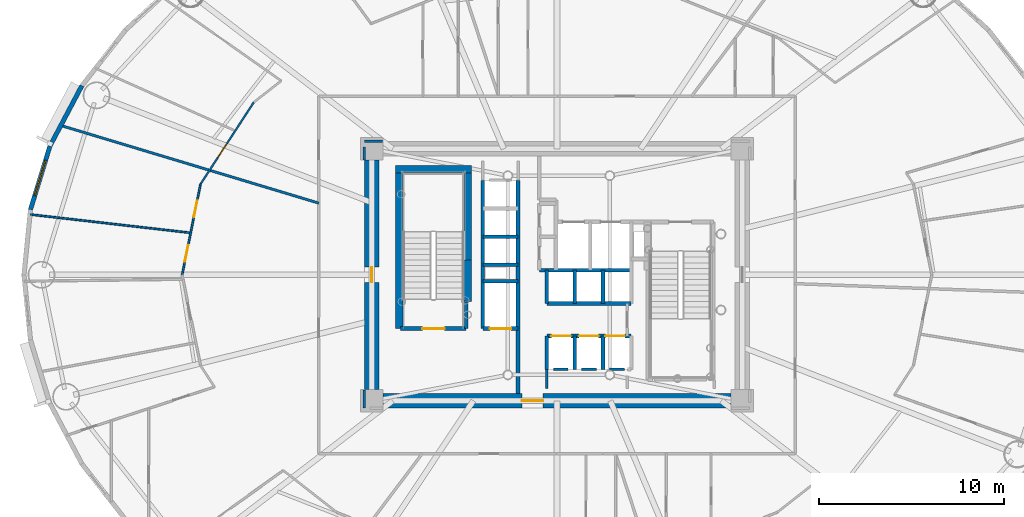
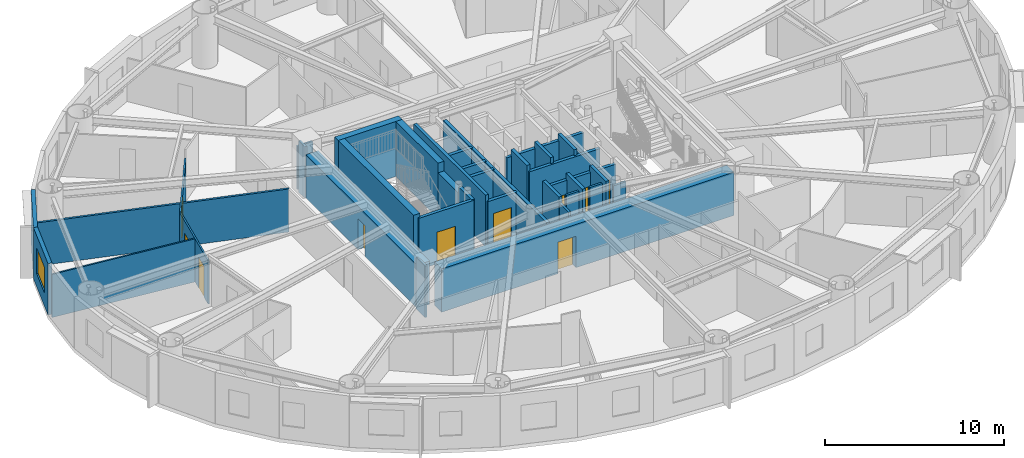
# One storey, part 7 of 16: 36 walls, 10 doors, 1 window, 11 openings.
"""IFC4 building model written with IfcOpenShell, lengths in metres."""

from ifc_helpers import new_model, si_unit, direction, frame, frame_2d, origin, origin_2d, place, context, subcontext, project, spatial, rectangle, extrude, source, transform, mapped, material, layer, layer_set, type_object, element, fill, save


model = new_model("IFC4")

# Units and contexts
model_context = context("Model", 3, precision=1e-05, world=origin(), true_north=direction((0.0, 1.0)))
body_context = subcontext(model_context, "Body", "Model", "MODEL_VIEW")
ifc_project = project(units=[si_unit("LENGTHUNIT", "METRE"), si_unit("AREAUNIT", "SQUARE_METRE"), si_unit("VOLUMEUNIT", "CUBIC_METRE"), si_unit("PLANEANGLEUNIT", "RADIAN"), si_unit("MASSUNIT", "GRAM", prefix="KILO")], contexts=[model_context])

# Site, building, storey
site_placement = place(None, origin())
site = spatial("IfcSite", under=ifc_project, at=site_placement, CompositionType="ELEMENT")
building_placement = place(site_placement, origin())
building = spatial("IfcBuilding", under=site, at=building_placement, Name="Linh Dai School and Residence Tower", CompositionType="ELEMENT")
storey_placement = place(building_placement, frame((0.0, 0.0, 108.449951171875)))
storey = spatial("IfcBuildingStorey", under=building, at=storey_placement, Name="L25", CompositionType="ELEMENT", Elevation=108.449951171875)

# Wall
ifc_material_1 = material(Name="Precast Concrete B45 (C35/45)", Category="concrete")
ifc_layer_1 = layer(ifc_material_1, 0.239990234375)
ifc_layer_set_1 = layer_set([ifc_layer_1], Name="Precast Concrete B45 (C35/45)")
wall_type_1 = type_object("IfcWallType", Name="EW-TC-240", PredefinedType="SOLIDWALL", material=ifc_layer_set_1)
wall_1_placement = place(storey_placement, frame((8.6298828125, 33.945068359375, 0.0), z_axis=(0.0, 0.0, 1.0), x_axis=(0.467614004126, 0.883932770716, 0.0)))
element("IfcWall", 1, at=wall_1_placement, inside=storey, type_object=wall_type_1, Name="L25 Terracotta Exterior Wall 18", PredefinedType="SOLIDWALL", context=body_context, shape_type="SweptSolid", body=[
    extrude(rectangle(XDim=3.688720703125, YDim=0.239990234375, at=frame_2d((1.84423828125, 0.0))), origin(), (0.0, 0.0, 1.0), 3.5),
])

# Wall, opening, window
wall_2_placement = place(storey_placement, frame((7.578369140625, 30.515380859375, 0.0), z_axis=(0.0, 0.0, 1.0), x_axis=(0.293124431344, 0.956074300329, 0.0)))
wall_2 = element("IfcWall", 2, at=wall_2_placement, inside=storey, type_object=wall_type_1, Name="L25 Terracotta Exterior Wall 19", PredefinedType="SOLIDWALL", context=body_context, shape_type="SweptSolid", body=[
    extrude(rectangle(XDim=3.587158203125, YDim=0.239990234375, at=frame_2d((1.79345703125, 0.0))), origin(), (0.0, 0.0, 1.0), 3.5),
])
opening_1_placement = place(wall_2_placement, frame((0.793701171875, 0.0, 0.89990234375)))
opening_1 = element("IfcOpeningElement", 3, at=opening_1_placement, cuts=wall_2, Name="Opening W1", PredefinedType="OPENING", context=body_context, shape_type="SweptSolid", body=[
    extrude(rectangle(XDim=2.0, YDim=1.75, at=origin_2d()), frame((1.0, 0.1298828125, 0.875), z_axis=(0.0, -1.0, 0.0), x_axis=(1.0, 0.0, 0.0)), (0.0, 0.0, 1.0), 0.260009765625),
])
ifc_material_2 = material(Name="Double Low-E Insulated Glazing", Category="glass")
window_type = type_object("IfcWindowType", Name="WN-RES-2000x1750", PartitioningType="DOUBLE_PANEL_VERTICAL", PredefinedType="WINDOW", material=ifc_material_2)
shared_shape_1 = source(origin(), body_context, "Body", "SweptSolid", [
    extrude(rectangle(XDim=2.0, YDim=1.75, at=origin_2d()), frame((1.0, 0.030029296875, 0.875), z_axis=(0.0, -1.0, 0.0), x_axis=(1.0, 0.0, 0.0)), (0.0, 0.0, 1.0), 0.06005859375),
])
window_placement = place(opening_1_placement, origin())
window = element("IfcWindow", 4, at=window_placement, inside=storey, type_object=window_type, Name="L25 Exterior Window 19.1", OverallHeight=1.75, OverallWidth=2.0, PartitioningType="DOUBLE_PANEL_VERTICAL", PredefinedType="WINDOW", context=body_context, shape_type="MappedRepresentation", body=[
    mapped(shared_shape_1, transform((0.0, 0.0, 0.0), x_axis=(1.0, 0.0, 0.0), y_axis=(0.0, 1.0, 0.0), z_axis=(0.0, 0.0, 1.0), scale=1.0)),
])
fill(opening_1, window)

# Walls
ifc_material_3 = material(Name="Autoclaved Aerated Concrete Blockwork", Category="masonry")
ifc_layer_2 = layer(ifc_material_3, 0.135009765625)
ifc_layer_set_2 = layer_set([ifc_layer_2], Name="Autoclaved Aerated Concrete Blockwork")
wall_type_2 = type_object("IfcWallType", Name="IW-CORR-135-EI90", PredefinedType="PARTITIONING", material=ifc_layer_set_2)
wall_3_placement = place(storey_placement, frame((9.21484375, 35.0615234375, 0.0), z_axis=(0.0, 0.0, 1.0), x_axis=(0.957569176287, -0.288203526393, 0.0)))
element("IfcWall", 5, at=wall_3_placement, inside=storey, type_object=wall_type_2, Name="L25 Interior Partition Wall 004", PredefinedType="PARTITIONING", context=body_context, shape_type="SweptSolid", body=[
    extrude(rectangle(XDim=14.552490234375, YDim=0.135009765625, at=frame_2d((7.2763671875, 0.0))), origin(), (0.0, 0.0, 1.0), 2.93505859375),
])
wall_4_placement = place(storey_placement, frame((36.60009765625, 21.89990234375, 0.0), z_axis=(0.0, 0.0, 1.0), x_axis=(-1.0, 0.0, 0.0)))
element("IfcWall", 6, at=wall_4_placement, inside=storey, type_object=wall_type_2, Name="L25 Interior Partition Wall 100", PredefinedType="PARTITIONING", context=body_context, shape_type="SweptSolid", body=[
    extrude(rectangle(XDim=0.7900390625, YDim=0.135009765625, at=frame_2d((0.39501953125, 0.0))), origin(), (0.0, 0.0, 1.0), 3.5),
])
wall_5_placement = place(storey_placement, frame((38.1201171875, 21.89990234375, 0.0), z_axis=(0.0, 0.0, 1.0), x_axis=(-1.0, 0.0, 0.0)))
element("IfcWall", 7, at=wall_5_placement, inside=storey, type_object=wall_type_2, Name="L25 Interior Partition Wall 101", PredefinedType="PARTITIONING", context=body_context, shape_type="SweptSolid", body=[
    extrude(rectangle(XDim=0.800048828125, YDim=0.135009765625, at=frame_2d((0.39990234375, 0.0))), origin(), (0.0, 0.0, 1.0), 3.5),
])
wall_6_placement = place(storey_placement, frame((39.639892578125, 21.89990234375, 0.0), z_axis=(0.0, 0.0, 1.0), x_axis=(-1.0, 0.0, 0.0)))
element("IfcWall", 8, at=wall_6_placement, inside=storey, type_object=wall_type_2, Name="L25 Interior Partition Wall 102", PredefinedType="PARTITIONING", context=body_context, shape_type="SweptSolid", body=[
    extrude(rectangle(XDim=0.7998046875, YDim=0.135009765625, at=frame_2d((0.39990234375, 0.0))), origin(), (0.0, 0.0, 1.0), 3.0849609375),
])
wall_7_placement = place(storey_placement, frame((35.449951171875, 21.889892578125, 0.0), z_axis=(0.0, 0.0, 1.0), x_axis=(0.0, -1.0, 0.0)))
element("IfcWall", 9, at=wall_7_placement, inside=storey, type_object=wall_type_2, Name="L25 Interior Partition Wall 107", PredefinedType="PARTITIONING", context=body_context, shape_type="SweptSolid", body=[
    extrude(rectangle(XDim=1.02978515625, YDim=0.135009765625, at=frame_2d((0.514892578125, 0.0))), origin(), (0.0, 0.0, 1.0), 3.0849609375),
])
wall_8_placement = place(storey_placement, frame((26.590087890625, 34.199951171875, 0.0), z_axis=(0.0, 0.0, 1.0), x_axis=(-1.0, 0.0, 0.0)))
element("IfcWall", 10, at=wall_8_placement, inside=storey, type_object=wall_type_2, Name="L25 Interior Partition Wall 112", PredefinedType="PARTITIONING", context=body_context, shape_type="SweptSolid", body=[
    extrude(rectangle(XDim=0.989990234375, YDim=0.135009765625, at=frame_2d((0.4951171875, 0.0))), origin(), (0.0, 0.0, 1.0), 2.93505859375),
])
wall_9_placement = place(storey_placement, frame((25.60009765625, 33.892578125, 0.0), z_axis=(0.0, 0.0, 1.0), x_axis=(0.0, -1.0, 0.0)))
element("IfcWall", 11, at=wall_9_placement, inside=storey, type_object=wall_type_2, Name="L25 Interior Partition Wall 113", PredefinedType="PARTITIONING", context=body_context, shape_type="SweptSolid", body=[
    extrude(rectangle(XDim=0.6826171875, YDim=0.135009765625, at=frame_2d((0.34130859375, 0.0))), origin(), (0.0, 0.0, 1.0), 3.5),
])
wall_10_placement = place(storey_placement, frame((25.60009765625, 20.7900390625, 0.0), z_axis=(0.0, 0.0, 1.0), x_axis=(0.0, -1.0, 0.0)))
element("IfcWall", 12, at=wall_10_placement, inside=storey, type_object=wall_type_2, Name="L25 Interior Partition Wall 114", PredefinedType="PARTITIONING", context=body_context, shape_type="SweptSolid", body=[
    extrude(rectangle(XDim=0.989990234375, YDim=0.135009765625, at=frame_2d((0.4951171875, 0.0))), origin(), (0.0, 0.0, 1.0), 3.5),
])

# Wall, opening, door
ifc_material_4 = material(Name="Concrete B45 (C35/45)", Category="concrete")
ifc_layer_3 = layer(ifc_material_4, 0.199951171875)
ifc_layer_set_3 = layer_set([ifc_layer_3], Name="Concrete B45 (C35/45)")
wall_type_3 = type_object("IfcWallType", Name="IW-SHAFT-200-EI120", PredefinedType="PARTITIONING", material=ifc_layer_set_3)
wall_11_placement = place(storey_placement, frame((27.56005859375, 24.10009765625, 0.0), z_axis=(0.0, 0.0, 1.0), x_axis=(1.0, 0.0, 0.0)))
wall_11 = element("IfcWall", 13, at=wall_11_placement, inside=storey, type_object=wall_type_3, Name="L25 Interior Partition Wall 025", PredefinedType="PARTITIONING", context=body_context, shape_type="SweptSolid", body=[
    extrude(rectangle(XDim=3.5400390625, YDim=0.199951171875, at=frame_2d((1.77001953125, 0.0))), origin(), (0.0, 0.0, 1.0), 3.5),
])
opening_2_placement = place(wall_11_placement, frame((1.169921875, 0.0, 0.0)))
opening_2 = element("IfcOpeningElement", 14, at=opening_2_placement, cuts=wall_11, Name="Opening D01", PredefinedType="OPENING", context=body_context, shape_type="SweptSolid", body=[
    extrude(rectangle(XDim=1.199951171875, YDim=2.14990234375, at=origin_2d()), frame((0.60009765625, 0.10986328125, 1.074951171875), z_axis=(0.0, -1.0, 0.0), x_axis=(1.0, 0.0, 0.0)), (0.0, 0.0, 1.0), 0.219970703125),
])
ifc_material_5 = material(Name="Fire-Rated Steel Door Leaf", Category="steel")
door_type_1 = type_object("IfcDoorType", Name="DR-STAIR-1200x2150-FD90S", OperationType="NOTDEFINED", PredefinedType="DOOR", material=ifc_material_5)
shared_shape_2 = source(origin(), body_context, "Body", "SweptSolid", [
    extrude(rectangle(XDim=1.199951171875, YDim=2.14990234375, at=origin_2d()), frame((0.60009765625, 0.02490234375, 1.074951171875), z_axis=(0.0, -1.0, 0.0), x_axis=(1.0, 0.0, 0.0)), (0.0, 0.0, 1.0), 0.050048828125),
])
door_1_placement = place(opening_2_placement, origin())
door_1 = element("IfcDoor", 15, at=door_1_placement, inside=storey, type_object=door_type_1, Name="L25 Core Smokeproof Exit Stair ST1 Door", OperationType="SINGLE_SWING_LEFT", OverallHeight=2.14990234375, OverallWidth=1.199951171875, PredefinedType="DOOR", context=body_context, shape_type="MappedRepresentation", body=[
    mapped(shared_shape_2, transform((0.0, 0.0, 0.0), x_axis=(1.0, 0.0, 0.0), y_axis=(0.0, 1.0, 0.0), z_axis=(0.0, 0.0, 1.0), scale=1.0)),
])
fill(opening_2, door_1)

# Walls
wall_12_placement = place(storey_placement, frame((31.10009765625, 24.10009765625, 0.0), z_axis=(0.0, 0.0, 1.0), x_axis=(0.0, 1.0, 0.0)))
element("IfcWall", 16, at=wall_12_placement, inside=storey, type_object=wall_type_3, Name="L25 Interior Partition Wall 032", PredefinedType="PARTITIONING", context=body_context, shape_type="SweptSolid", body=[
    extrude(rectangle(XDim=1.43994140625, YDim=0.199951171875, at=frame_2d((0.719970703125, 0.0))), origin(), (0.0, 0.0, 1.0), 3.5),
])
wall_13_placement = place(storey_placement, frame((32.0, 24.10009765625, 0.0), z_axis=(0.0, 0.0, 1.0), x_axis=(0.0, 1.0, 0.0)))
element("IfcWall", 17, at=wall_13_placement, inside=storey, type_object=wall_type_3, Name="L25 Interior Partition Wall 033", PredefinedType="PARTITIONING", context=body_context, shape_type="SweptSolid", body=[
    extrude(rectangle(XDim=8.0, YDim=0.199951171875, at=frame_2d((4.0, 0.0))), origin(), (0.0, 0.0, 1.0), 3.5),
])

# Wall, opening, door
wall_14_placement = place(storey_placement, frame((32.0, 24.10009765625, 0.0), z_axis=(0.0, 0.0, 1.0), x_axis=(1.0, 0.0, 0.0)))
wall_14 = element("IfcWall", 18, at=wall_14_placement, inside=storey, type_object=wall_type_3, Name="L25 Interior Partition Wall 034", PredefinedType="PARTITIONING", context=body_context, shape_type="SweptSolid", body=[
    extrude(rectangle(XDim=1.89990234375, YDim=0.199951171875, at=frame_2d((0.949951171875, 0.0))), origin(), (0.0, 0.0, 1.0), 3.0849609375),
])
opening_3_placement = place(wall_14_placement, frame((0.375, 0.0, 0.0)))
opening_3 = element("IfcOpeningElement", 19, at=opening_3_placement, cuts=wall_14, Name="Opening LD-FF2", PredefinedType="OPENING", context=body_context, shape_type="SweptSolid", body=[
    extrude(rectangle(XDim=1.14990234375, YDim=2.14990234375, at=origin_2d()), frame((0.574951171875, 0.10986328125, 1.074951171875), z_axis=(0.0, -1.0, 0.0), x_axis=(1.0, 0.0, 0.0)), (0.0, 0.0, 1.0), 0.219970703125),
])
ifc_material_6 = material(Name="Fire-Rated Stainless Steel Firefighting Lift Door", Category="steel")
door_type_2 = type_object("IfcDoorType", Name="DR-LD-FF-1150x2150-FD120", OperationType="DOUBLE_DOOR_SLIDING", PredefinedType="USERDEFINED", material=ifc_material_6)
shared_shape_3 = source(origin(), body_context, "Body", "SweptSolid", [
    extrude(rectangle(XDim=1.14990234375, YDim=2.14990234375, at=origin_2d()), frame((0.574951171875, 0.02490234375, 1.074951171875), z_axis=(0.0, -1.0, 0.0), x_axis=(1.0, 0.0, 0.0)), (0.0, 0.0, 1.0), 0.050048828125),
])
door_2_placement = place(opening_3_placement, origin())
door_2 = element("IfcDoor", 20, at=door_2_placement, inside=storey, type_object=door_type_2, Name="L25 Lift FF2 Sliding Landing Door", ObjectType="LANDING DOOR", OperationType="DOUBLE_DOOR_SLIDING", OverallHeight=2.14990234375, OverallWidth=1.14990234375, PredefinedType="USERDEFINED", context=body_context, shape_type="MappedRepresentation", body=[
    mapped(shared_shape_3, transform((0.0, 0.0, 0.0), x_axis=(1.0, 0.0, 0.0), y_axis=(0.0, 1.0, 0.0), z_axis=(0.0, 0.0, 1.0), scale=1.0)),
])
fill(opening_3, door_2)

# Walls
for number, where, z_axis, x_axis, name in (
    (21, (32.0, 26.64990234375, 0.0), (0.0, 0.0, 1.0), (1.0, 0.0, 0.0), "L25 Interior Partition Wall 035"),
    (22, (32.0, 27.550048828125, 0.0), (0.0, 0.0, 1.0), (1.0, 0.0, 0.0), "L25 Interior Partition Wall 036"),
    (23, (32.0, 29.06005859375, 0.0), (0.0, 0.0, 1.0), (1.0, 0.0, 0.0), "L25 Interior Partition Wall 037"),
):
    element("IfcWall", number, at=place(storey_placement, frame(where, z_axis=z_axis, x_axis=x_axis)), inside=storey, type_object=wall_type_3, Name=name, PredefinedType="PARTITIONING", context=body_context, shape_type="SweptSolid", body=[
        extrude(rectangle(XDim=1.89990234375, YDim=0.199951171875, at=frame_2d((0.949951171875, 0.0))), origin(), (0.0, 0.0, 1.0), 3.0849609375),
    ])
wall_15_placement = place(storey_placement, frame((33.89990234375, 20.60009765625, 0.0), z_axis=(0.0, 0.0, 1.0), x_axis=(0.0, 1.0, 0.0)))
element("IfcWall", 24, at=wall_15_placement, inside=storey, type_object=wall_type_3, Name="L25 Interior Partition Wall 040", PredefinedType="PARTITIONING", context=body_context, shape_type="SweptSolid", body=[
    extrude(rectangle(XDim=11.5, YDim=0.199951171875, at=frame_2d((5.75, 0.0))), origin(), (0.0, 0.0, 1.0), 3.0849609375),
])
wall_16_placement = place(storey_placement, frame((35.050048828125, 27.25, 0.0), z_axis=(0.0, 0.0, 1.0), x_axis=(1.0, 0.0, 0.0)))
element("IfcWall", 25, at=wall_16_placement, inside=storey, type_object=wall_type_3, Name="L25 Interior Partition Wall 043", PredefinedType="PARTITIONING", context=body_context, shape_type="SweptSolid", body=[
    extrude(rectangle(XDim=4.949951171875, YDim=0.199951171875, at=frame_2d((2.47509765625, 0.0))), origin(), (0.0, 0.0, 1.0), 3.0849609375),
])
wall_17_placement = place(storey_placement, frame((35.449951171875, 21.89990234375, 0.0), z_axis=(0.0, 0.0, 1.0), x_axis=(0.0, 1.0, 0.0)))
element("IfcWall", 26, at=wall_17_placement, inside=storey, type_object=wall_type_3, Name="L25 Interior Partition Wall 048", PredefinedType="PARTITIONING", context=body_context, shape_type="SweptSolid", body=[
    extrude(rectangle(XDim=1.800048828125, YDim=0.199951171875, at=frame_2d((0.89990234375, 0.0))), origin(), (0.0, 0.0, 1.0), 3.5),
])

# Wall, openings, doors
wall_18_placement = place(storey_placement, frame((35.449951171875, 23.699951171875, 0.0), z_axis=(0.0, 0.0, 1.0), x_axis=(1.0, 0.0, 0.0)))
wall_18 = element("IfcWall", 27, at=wall_18_placement, inside=storey, type_object=wall_type_3, Name="L25 Interior Partition Wall 049", PredefinedType="PARTITIONING", context=body_context, shape_type="SweptSolid", body=[
    extrude(rectangle(XDim=4.550048828125, YDim=0.199951171875, at=frame_2d((2.27490234375, 0.0))), origin(), (0.0, 0.0, 1.0), 3.0849609375),
])
opening_4_placement = place(wall_18_placement, frame((0.25, 0.0, 0.0)))
opening_4 = element("IfcOpeningElement", 28, at=opening_4_placement, cuts=wall_18, Name="Opening LD-PL1", PredefinedType="OPENING", context=body_context, shape_type="SweptSolid", body=[
    extrude(rectangle(XDim=1.050048828125, YDim=2.14990234375, at=origin_2d()), frame((0.52490234375, 0.10986328125, 1.074951171875), z_axis=(0.0, -1.0, 0.0), x_axis=(1.0, 0.0, 0.0)), (0.0, 0.0, 1.0), 0.219970703125),
])
opening_5_placement = place(wall_18_placement, frame((1.7451171875, 0.0, 0.0)))
opening_5 = element("IfcOpeningElement", 29, at=opening_5_placement, cuts=wall_18, Name="Opening LD-PL2", PredefinedType="OPENING", context=body_context, shape_type="SweptSolid", body=[
    extrude(rectangle(XDim=1.050048828125, YDim=2.14990234375, at=origin_2d()), frame((0.52490234375, 0.10986328125, 1.074951171875), z_axis=(0.0, -1.0, 0.0), x_axis=(1.0, 0.0, 0.0)), (0.0, 0.0, 1.0), 0.219970703125),
])
opening_6_placement = place(wall_18_placement, frame((3.1650390625, 0.0, 0.0)))
opening_6 = element("IfcOpeningElement", 30, at=opening_6_placement, cuts=wall_18, Name="Opening LD-PL3", PredefinedType="OPENING", context=body_context, shape_type="SweptSolid", body=[
    extrude(rectangle(XDim=1.050048828125, YDim=2.14990234375, at=origin_2d()), frame((0.52490234375, 0.10986328125, 1.074951171875), z_axis=(0.0, -1.0, 0.0), x_axis=(1.0, 0.0, 0.0)), (0.0, 0.0, 1.0), 0.219970703125),
])
ifc_material_7 = material(Name="Brushed Stainless Steel Lift Landing Door", Category="steel")
door_type_3 = type_object("IfcDoorType", Name="DR-LD-PASS-1050x2150", OperationType="DOUBLE_DOOR_SLIDING", PredefinedType="USERDEFINED", material=ifc_material_7)
shared_shape_4 = source(origin(), body_context, "Body", "SweptSolid", [
    extrude(rectangle(XDim=1.050048828125, YDim=2.14990234375, at=origin_2d()), frame((0.52490234375, 0.02490234375, 1.074951171875), z_axis=(0.0, -1.0, 0.0), x_axis=(1.0, 0.0, 0.0)), (0.0, 0.0, 1.0), 0.050048828125),
])
door_3_placement = place(opening_4_placement, origin())
door_3 = element("IfcDoor", 31, at=door_3_placement, inside=storey, type_object=door_type_3, Name="L25 Lift PL1 Sliding Landing Door", ObjectType="LANDING DOOR", OperationType="DOUBLE_DOOR_SLIDING", OverallHeight=2.14990234375, OverallWidth=1.050048828125, PredefinedType="USERDEFINED", context=body_context, shape_type="MappedRepresentation", body=[
    mapped(shared_shape_4, transform((0.0, 0.0, 0.0), x_axis=(1.0, 0.0, 0.0), y_axis=(0.0, 1.0, 0.0), z_axis=(0.0, 0.0, 1.0), scale=1.0)),
])
fill(opening_4, door_3)
door_4_placement = place(opening_5_placement, origin())
door_4 = element("IfcDoor", 32, at=door_4_placement, inside=storey, type_object=door_type_3, Name="L25 Lift PL2 Sliding Landing Door", ObjectType="LANDING DOOR", OperationType="DOUBLE_DOOR_SLIDING", OverallHeight=2.14990234375, OverallWidth=1.050048828125, PredefinedType="USERDEFINED", context=body_context, shape_type="MappedRepresentation", body=[
    mapped(shared_shape_4, transform((0.0, 0.0, 0.0), x_axis=(1.0, 0.0, 0.0), y_axis=(0.0, 1.0, 0.0), z_axis=(0.0, 0.0, 1.0), scale=1.0)),
])
fill(opening_5, door_4)
door_5_placement = place(opening_6_placement, origin())
door_5 = element("IfcDoor", 33, at=door_5_placement, inside=storey, type_object=door_type_3, Name="L25 Lift PL3 Sliding Landing Door", ObjectType="LANDING DOOR", OperationType="DOUBLE_DOOR_SLIDING", OverallHeight=2.14990234375, OverallWidth=1.050048828125, PredefinedType="USERDEFINED", context=body_context, shape_type="MappedRepresentation", body=[
    mapped(shared_shape_4, transform((0.0, 0.0, 0.0), x_axis=(1.0, 0.0, 0.0), y_axis=(0.0, 1.0, 0.0), z_axis=(0.0, 0.0, 1.0), scale=1.0)),
])
fill(opening_6, door_5)

# Walls
wall_19_placement = place(storey_placement, frame((35.449951171875, 25.449951171875, 0.0), z_axis=(0.0, 0.0, 1.0), x_axis=(0.0, 1.0, 0.0)))
element("IfcWall", 34, at=wall_19_placement, inside=storey, type_object=wall_type_3, Name="L25 Interior Partition Wall 050", PredefinedType="PARTITIONING", context=body_context, shape_type="SweptSolid", body=[
    extrude(rectangle(XDim=1.800048828125, YDim=0.199951171875, at=frame_2d((0.89990234375, 0.0))), origin(), (0.0, 0.0, 1.0), 3.5),
])
wall_20_placement = place(storey_placement, frame((35.449951171875, 25.449951171875, 0.0), z_axis=(0.0, 0.0, 1.0), x_axis=(1.0, 0.0, 0.0)))
element("IfcWall", 35, at=wall_20_placement, inside=storey, type_object=wall_type_3, Name="L25 Interior Partition Wall 051", PredefinedType="PARTITIONING", context=body_context, shape_type="SweptSolid", body=[
    extrude(rectangle(XDim=4.550048828125, YDim=0.199951171875, at=frame_2d((2.27490234375, 0.0))), origin(), (0.0, 0.0, 1.0), 3.0849609375),
])
for number, where, z_axis, x_axis, name in (
    (36, (36.9599609375, 21.89990234375, 0.0), (0.0, 0.0, 1.0), (0.0, 1.0, 0.0), "L25 Interior Partition Wall 058"),
    (37, (36.9599609375, 25.449951171875, 0.0), (0.0, 0.0, 1.0), (0.0, 1.0, 0.0), "L25 Interior Partition Wall 059"),
    (38, (38.47998046875, 21.89990234375, 0.0), (0.0, 0.0, 1.0), (0.0, 1.0, 0.0), "L25 Interior Partition Wall 063"),
    (39, (38.47998046875, 25.449951171875, 0.0), (0.0, 0.0, 1.0), (0.0, 1.0, 0.0), "L25 Interior Partition Wall 064"),
):
    element("IfcWall", number, at=place(storey_placement, frame(where, z_axis=z_axis, x_axis=x_axis)), inside=storey, type_object=wall_type_3, Name=name, PredefinedType="PARTITIONING", context=body_context, shape_type="SweptSolid", body=[
        extrude(rectangle(XDim=1.800048828125, YDim=0.199951171875, at=frame_2d((0.89990234375, 0.0))), origin(), (0.0, 0.0, 1.0), 3.5),
    ])
ifc_material_8 = material(Name="Gypsum Plasterboard Acoustic Stud Partition", Category="masonry")
ifc_layer_4 = layer(ifc_material_8, 0.10009765625)
ifc_layer_set_4 = layer_set([ifc_layer_4], Name="Gypsum Plasterboard Acoustic Stud Partition")
wall_type_4 = type_object("IfcWallType", Name="IW-UNIT-100", PredefinedType="PARTITIONING", material=ifc_layer_set_4)
wall_21_placement = place(storey_placement, frame((7.547607421875, 30.25927734375, 0.0), z_axis=(0.0, 0.0, 1.0), x_axis=(0.993502465776, -0.11381059044, 0.0)))
element("IfcWall", 40, at=wall_21_placement, inside=storey, type_object=wall_type_4, Name="L25 Interior Partition Wall 002", PredefinedType="PARTITIONING", context=body_context, shape_type="SweptSolid", body=[
    extrude(rectangle(XDim=8.7373046875, YDim=0.10009765625, at=frame_2d((4.36865234375, 0.0))), origin(), (0.0, 0.0, 1.0), 2.93505859375),
])

# Wall, openings, doors
wall_22_placement = place(storey_placement, frame((15.77001953125, 27.0, 0.0), z_axis=(0.0, 0.0, 1.0), x_axis=(0.19822142127, 0.980157267049, 0.0)))
wall_22 = element("IfcWall", 41, at=wall_22_placement, inside=storey, type_object=wall_type_4, Name="L25 Interior Partition Wall 012", PredefinedType="PARTITIONING", context=body_context, shape_type="SweptSolid", body=[
    extrude(rectangle(XDim=4.994384765625, YDim=0.10009765625, at=frame_2d((2.4970703125, 0.0))), origin(), (0.0, 0.0, 1.0), 2.93505859375),
])
opening_7_placement = place(wall_22_placement, frame((3.1826171875, 0.0, 0.0)))
opening_7 = element("IfcOpeningElement", 42, at=opening_7_placement, cuts=wall_22, Name="Opening D05", PredefinedType="OPENING", context=body_context, shape_type="SweptSolid", body=[
    extrude(rectangle(XDim=0.89990234375, YDim=2.10009765625, at=origin_2d()), frame((0.449951171875, 0.06005859375, 1.050048828125), z_axis=(0.0, -1.0, 0.0), x_axis=(1.0, 0.0, 0.0)), (0.0, 0.0, 1.0), 0.1201171875),
])
opening_8_placement = place(wall_22_placement, frame((0.725341796875, 0.0, 0.0)))
opening_8 = element("IfcOpeningElement", 43, at=opening_8_placement, cuts=wall_22, Name="Opening D05", PredefinedType="OPENING", context=body_context, shape_type="SweptSolid", body=[
    extrude(rectangle(XDim=0.89990234375, YDim=2.10009765625, at=origin_2d()), frame((0.449951171875, 0.06005859375, 1.050048828125), z_axis=(0.0, -1.0, 0.0), x_axis=(1.0, 0.0, 0.0)), (0.0, 0.0, 1.0), 0.1201171875),
])
ifc_material_9 = material(Name="Engineered Timber Internal Door", Category="wood")
door_type_4 = type_object("IfcDoorType", Name="DR-INT-900x2100", OperationType="NOTDEFINED", PredefinedType="DOOR", material=ifc_material_9)
shared_shape_5 = source(origin(), body_context, "Body", "SweptSolid", [
    extrude(rectangle(XDim=0.89990234375, YDim=2.10009765625, at=origin_2d()), frame((0.449951171875, 0.02490234375, 1.050048828125), z_axis=(0.0, -1.0, 0.0), x_axis=(1.0, 0.0, 0.0)), (0.0, 0.0, 1.0), 0.050048828125),
])
door_6_placement = place(opening_7_placement, origin())
door_6 = element("IfcDoor", 44, at=door_6_placement, inside=storey, type_object=door_type_4, Name="L25 Apartment U2503 Principal Bedroom 1 Door", OperationType="SINGLE_SWING_LEFT", OverallHeight=2.10009765625, OverallWidth=0.89990234375, PredefinedType="DOOR", context=body_context, shape_type="MappedRepresentation", body=[
    mapped(shared_shape_5, transform((0.0, 0.0, 0.0), x_axis=(1.0, 0.0, 0.0), y_axis=(0.0, 1.0, 0.0), z_axis=(0.0, 0.0, 1.0), scale=1.0)),
])
fill(opening_7, door_6)
door_7_placement = place(opening_8_placement, origin())
door_7 = element("IfcDoor", 45, at=door_7_placement, inside=storey, type_object=door_type_4, Name="L25 Apartment U2503 Study Door", OperationType="SINGLE_SWING_RIGHT", OverallHeight=2.10009765625, OverallWidth=0.89990234375, PredefinedType="DOOR", context=body_context, shape_type="MappedRepresentation", body=[
    mapped(shared_shape_5, transform((0.0, 0.0, 0.0), x_axis=(1.0, 0.0, 0.0), y_axis=(0.0, 1.0, 0.0), z_axis=(0.0, 0.0, 1.0), scale=1.0)),
])
fill(opening_8, door_7)

# Wall, opening, door
wall_23_placement = place(storey_placement, frame((16.760009765625, 31.89501953125, 0.0), z_axis=(0.0, 0.0, 1.0), x_axis=(0.545405249109, 0.838172484781, 0.0)))
wall_23 = element("IfcWall", 46, at=wall_23_placement, inside=storey, type_object=wall_type_4, Name="L25 Interior Partition Wall 015", PredefinedType="PARTITIONING", context=body_context, shape_type="SweptSolid", body=[
    extrude(rectangle(XDim=5.2685546875, YDim=0.10009765625, at=frame_2d((2.63427734375, 0.0))), origin(), (0.0, 0.0, 1.0), 2.93505859375),
])
opening_9_placement = place(wall_23_placement, frame((1.713134765625, 0.0, 0.0)))
opening_9 = element("IfcOpeningElement", 47, at=opening_9_placement, cuts=wall_23, Name="Opening D05", PredefinedType="OPENING", context=body_context, shape_type="SweptSolid", body=[
    extrude(rectangle(XDim=0.89990234375, YDim=2.10009765625, at=origin_2d()), frame((0.449951171875, 0.06005859375, 1.050048828125), z_axis=(0.0, -1.0, 0.0), x_axis=(1.0, 0.0, 0.0)), (0.0, 0.0, 1.0), 0.1201171875),
])
door_8_placement = place(opening_9_placement, origin())
door_8 = element("IfcDoor", 48, at=door_8_placement, inside=storey, type_object=door_type_4, Name="L25 Apartment U2502 Study Door", OperationType="SINGLE_SWING_LEFT", OverallHeight=2.10009765625, OverallWidth=0.89990234375, PredefinedType="DOOR", context=body_context, shape_type="MappedRepresentation", body=[
    mapped(shared_shape_5, transform((0.0, 0.0, 0.0), x_axis=(1.0, 0.0, 0.0), y_axis=(0.0, 1.0, 0.0), z_axis=(0.0, 0.0, 1.0), scale=1.0)),
])
fill(opening_9, door_8)

# Walls
ifc_layer_5 = layer(ifc_material_4, 0.39990234375)
ifc_layer_set_5 = layer_set([ifc_layer_5], Name="Concrete B45 (C35/45)")
wall_type_5 = type_object("IfcWallType", Name="WL-CORE400", PredefinedType="SHEAR", material=ifc_layer_set_5)
wall_24_placement = place(storey_placement, frame((27.47998046875, 24.10009765625, 0.0), z_axis=(0.0, 0.0, 1.0), x_axis=(0.0, 1.0, 0.0)))
element("IfcWall", 49, at=wall_24_placement, inside=storey, type_object=wall_type_5, Name="L25 Core Stair ST1 Bearing Wall W", PredefinedType="SHEAR", context=body_context, shape_type="SweptSolid", body=[
    extrude(rectangle(XDim=8.599853515625, YDim=0.39990234375, at=frame_2d((4.2998046875, 0.0))), origin(), (0.0, 0.0, 1.0), 3.75),
])
wall_25_placement = place(storey_placement, frame((31.179931640625, 27.800048828125, 0.0), z_axis=(0.0, 0.0, 1.0), x_axis=(0.0, 1.0, 0.0)))
element("IfcWall", 50, at=wall_25_placement, inside=storey, type_object=wall_type_5, Name="L25 Core Stair ST1 Bearing Wall E", PredefinedType="SHEAR", context=body_context, shape_type="SweptSolid", body=[
    extrude(rectangle(XDim=4.89990234375, YDim=0.39990234375, at=frame_2d((2.449951171875, 0.0))), origin(), (0.0, 0.0, 1.0), 3.75),
])
wall_26_placement = place(storey_placement, frame((27.280029296875, 32.699951171875, 0.0), z_axis=(0.0, 0.0, 1.0), x_axis=(1.0, 0.0, 0.0)))
element("IfcWall", 51, at=wall_26_placement, inside=storey, type_object=wall_type_5, Name="L25 Core Stair ST1 Bearing Wall N", PredefinedType="SHEAR", context=body_context, shape_type="SweptSolid", body=[
    extrude(rectangle(XDim=4.099853515625, YDim=0.39990234375, at=frame_2d((2.0498046875, 0.0))), origin(), (0.0, 0.0, 1.0), 3.75),
])
wall_27_placement = place(storey_placement, frame((31.179931640625, 25.550048828125, 0.0), z_axis=(0.0, 0.0, 1.0), x_axis=(0.0, 1.0, 0.0)))
element("IfcWall", 52, at=wall_27_placement, inside=storey, type_object=wall_type_5, Name="L25 Internal Core Shear Wall IW", PredefinedType="SHEAR", context=body_context, shape_type="SweptSolid", body=[
    extrude(rectangle(XDim=2.25, YDim=0.39990234375, at=frame_2d((1.125, 0.0))), origin(), (0.0, 0.0, 1.0), 3.10009765625),
])

# Wall, opening, door
ifc_material_10 = material(Name="Concrete B60 (C50/60)", Category="concrete")
ifc_layer_6 = layer(ifc_material_10, 0.800048828125)
ifc_layer_set_6 = layer_set([ifc_layer_6], Name="Concrete B60 (C50/60)")
wall_type_6 = type_object("IfcWallType", Name="WL-CORE800", PredefinedType="SHEAR", material=ifc_layer_set_6)
wall_28_placement = place(storey_placement, frame((45.39990234375, 20.199951171875, 0.0), z_axis=(0.0, 0.0, 1.0), x_axis=(-1.0, 0.0, 0.0)))
wall_28 = element("IfcWall", 53, at=wall_28_placement, inside=storey, type_object=wall_type_6, Name="L25 Central Core Shear Wall S", PredefinedType="SHEAR", context=body_context, shape_type="SweptSolid", body=[
    extrude(rectangle(XDim=18.7998046875, YDim=0.800048828125, at=frame_2d((9.39990234375, 0.0))), origin(), (0.0, 0.0, 1.0), 2.949951171875),
])
opening_10_placement = place(wall_28_placement, frame((10.14990234375, 0.0, 0.0)))
opening_10 = element("IfcOpeningElement", 54, at=opening_10_placement, cuts=wall_28, Name="Opening D02", PredefinedType="OPENING", context=body_context, shape_type="SweptSolid", body=[
    extrude(rectangle(XDim=1.14990234375, YDim=2.14990234375, at=origin_2d()), frame((0.574951171875, 0.41015625, 1.074951171875), z_axis=(0.0, -1.0, 0.0), x_axis=(1.0, 0.0, 0.0)), (0.0, 0.0, 1.0), 0.820068359375),
])
ifc_material_11 = material(Name="Fire-Rated Glazed Steel Lobby Door", Category="steel")
door_type_5 = type_object("IfcDoorType", Name="DR-LOBBY-1150x2150-FD90S", OperationType="NOTDEFINED", PredefinedType="DOOR", material=ifc_material_11)
shared_shape_6 = source(origin(), body_context, "Body", "SweptSolid", [
    extrude(rectangle(XDim=1.14990234375, YDim=2.14990234375, at=origin_2d()), frame((0.574951171875, 0.02490234375, 1.074951171875), z_axis=(0.0, -1.0, 0.0), x_axis=(1.0, 0.0, 0.0)), (0.0, 0.0, 1.0), 0.050048828125),
])
door_9_placement = place(opening_10_placement, origin())
door_9 = element("IfcDoor", 55, at=door_9_placement, inside=storey, type_object=door_type_5, Name="L25 Passenger Foyer Access Door", OperationType="SINGLE_SWING_RIGHT", OverallHeight=2.14990234375, OverallWidth=1.14990234375, PredefinedType="DOOR", context=body_context, shape_type="MappedRepresentation", body=[
    mapped(shared_shape_6, transform((0.0, 0.0, 0.0), x_axis=(1.0, 0.0, 0.0), y_axis=(0.0, 1.0, 0.0), z_axis=(0.0, 0.0, 1.0), scale=1.0)),
])
fill(opening_10, door_9)

wall_29_placement = place(storey_placement, frame((26.0, 20.800048828125, 0.0), z_axis=(0.0, 0.0, 1.0), x_axis=(0.0, 1.0, 0.0)))
wall_29 = element("IfcWall", 56, at=wall_29_placement, inside=storey, type_object=wall_type_6, Name="L25 Central Core Shear Wall W", PredefinedType="SHEAR", context=body_context, shape_type="SweptSolid", body=[
    extrude(rectangle(XDim=12.39990234375, YDim=0.800048828125, at=frame_2d((6.199951171875, 0.0))), origin(), (0.0, 0.0, 1.0), 2.949951171875),
])
opening_11_placement = place(wall_29_placement, frame((5.7900390625, 0.0, 0.0)))
opening_11 = element("IfcOpeningElement", 57, at=opening_11_placement, cuts=wall_29, Name="Opening D06", PredefinedType="OPENING", context=body_context, shape_type="SweptSolid", body=[
    extrude(rectangle(XDim=0.820068359375, YDim=2.10009765625, at=origin_2d()), frame((0.41015625, 0.41015625, 1.050048828125), z_axis=(0.0, -1.0, 0.0), x_axis=(1.0, 0.0, 0.0)), (0.0, 0.0, 1.0), 0.820068359375),
])
ifc_material_12 = material(Name="Moisture-Resistant Timber Bathroom Door", Category="wood")
door_type_6 = type_object("IfcDoorType", Name="DR-WET-820x2100", OperationType="NOTDEFINED", PredefinedType="DOOR", material=ifc_material_12)
shared_shape_7 = source(origin(), body_context, "Body", "SweptSolid", [
    extrude(rectangle(XDim=0.820068359375, YDim=2.10009765625, at=origin_2d()), frame((0.41015625, 0.02490234375, 1.050048828125), z_axis=(0.0, -1.0, 0.0), x_axis=(1.0, 0.0, 0.0)), (0.0, 0.0, 1.0), 0.050048828125),
])
door_10_placement = place(opening_11_placement, origin())
door_10 = element("IfcDoor", 58, at=door_10_placement, inside=storey, type_object=door_type_6, Name="L25 Firefighting Lobby Door", OperationType="SINGLE_SWING_RIGHT", OverallHeight=2.10009765625, OverallWidth=0.820068359375, PredefinedType="DOOR", context=body_context, shape_type="MappedRepresentation", body=[
    mapped(shared_shape_7, transform((0.0, 0.0, 0.0), x_axis=(1.0, 0.0, 0.0), y_axis=(0.0, 1.0, 0.0), z_axis=(0.0, 0.0, 1.0), scale=1.0)),
])
fill(opening_11, door_10)

save(model, "model.ifc")
